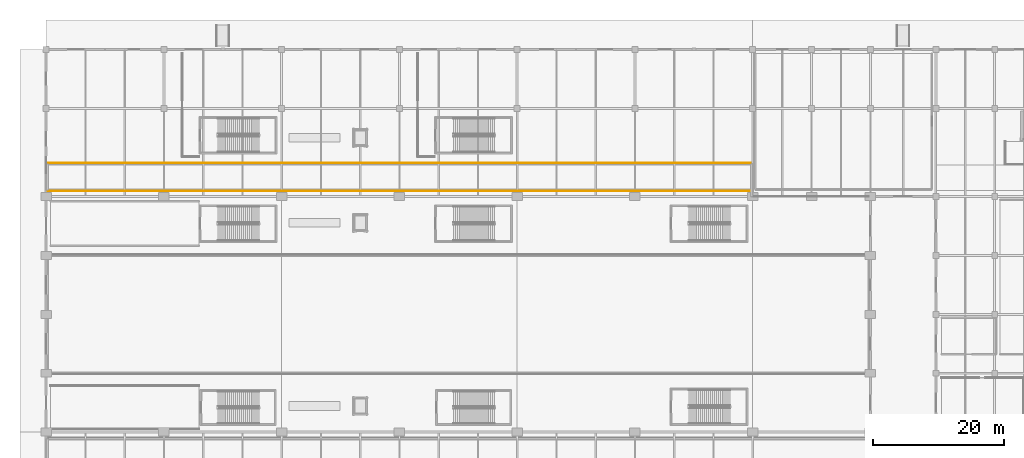
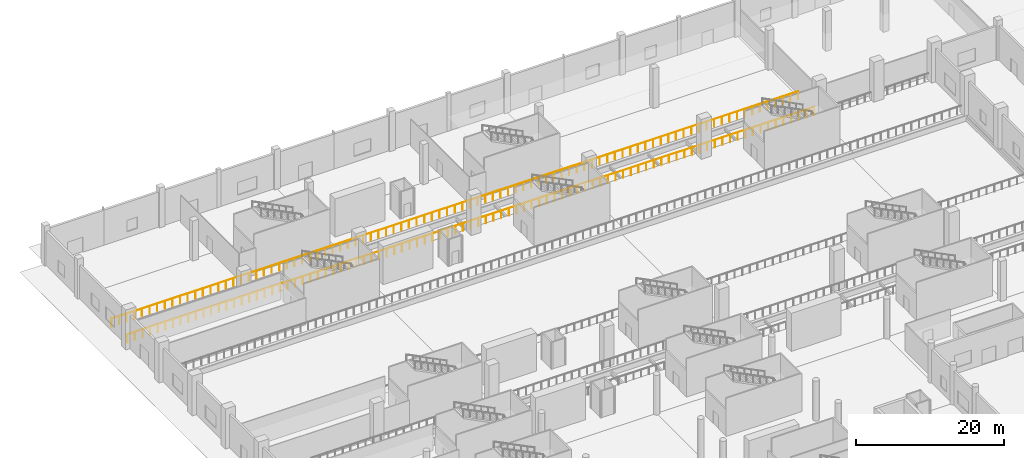
# One storey, part 46 of 65: 2 railings.
"""IFC4 building model written with IfcOpenShell, lengths in metres."""

from ifc_helpers import new_model, si_unit, direction, frame, origin, origin_2d, place, context, subcontext, project, spatial, circle, extrude, material, type_object, element, save


model = new_model("IFC4")

# Units and contexts
model_context = context("Model", 3, precision=1e-05, world=origin(), true_north=direction((0.0, 1.0)))
body_context = subcontext(model_context, "Body", "Model", "MODEL_VIEW")
ifc_project = project(units=[si_unit("LENGTHUNIT", "METRE"), si_unit("AREAUNIT", "SQUARE_METRE"), si_unit("VOLUMEUNIT", "CUBIC_METRE"), si_unit("PLANEANGLEUNIT", "RADIAN"), si_unit("MASSUNIT", "GRAM", prefix="KILO")], contexts=[model_context])

# Site, building, storey
site_placement = place(None, origin())
site = spatial("IfcSite", under=ifc_project, at=site_placement, CompositionType="ELEMENT")
building_placement = place(site_placement, origin())
building = spatial("IfcBuilding", under=site, at=building_placement, Name="Chuanluo Vaults Station", CompositionType="ELEMENT")
storey_placement = place(building_placement, origin())
storey = spatial("IfcBuildingStorey", under=building, at=storey_placement, Name="L00", CompositionType="ELEMENT", Elevation=0.0)

# Railings
ifc_material = material(Name="Tempered laminated balustrade glass", Category="glass")
railing_type = type_object("IfcRailingType", Name="RLG-PLAT-1350", PredefinedType="GUARDRAIL", material=ifc_material)
railing_1_placement = place(storey_placement, frame((0.300048828125, 104.35009765625, 0.0)))
element("IfcRailing", 1, at=railing_1_placement, inside=storey, type_object=railing_type, Name="Platform edge safety screen balustrade PLAT3-N", PredefinedType="GUARDRAIL", context=body_context, shape_type="SweptSolid", body=[
    extrude(circle(Radius=0.02392578125, at=origin_2d()), frame((0.0, 0.0, 1.326171875), z_axis=(1.0, 0.0, 0.0), x_axis=(0.0, 1.0, 0.0)), (0.0, 0.0, 1.0), 107.39990234375),
    extrude(circle(Radius=0.02099609375, at=origin_2d()), origin(), (0.0, 0.0, 1.0), 1.302001953125),
    extrude(circle(Radius=0.02099609375, at=origin_2d()), frame((1.193359375, 0.0, 0.0)), (0.0, 0.0, 1.0), 1.302001953125),
    extrude(circle(Radius=0.02099609375, at=origin_2d()), frame((2.38671875, 0.0, 0.0)), (0.0, 0.0, 1.0), 1.302001953125),
    extrude(circle(Radius=0.02099609375, at=origin_2d()), frame((3.580078125, 0.0, 0.0)), (0.0, 0.0, 1.0), 1.302001953125),
    extrude(circle(Radius=0.02099609375, at=origin_2d()), frame((4.7734375, 0.0, 0.0)), (0.0, 0.0, 1.0), 1.302001953125),
    extrude(circle(Radius=0.02099609375, at=origin_2d()), frame((5.966552734375, 0.0, 0.0)), (0.0, 0.0, 1.0), 1.302001953125),
    extrude(circle(Radius=0.02099609375, at=origin_2d()), frame((7.159912109375, 0.0, 0.0)), (0.0, 0.0, 1.0), 1.302001953125),
    extrude(circle(Radius=0.02099609375, at=origin_2d()), frame((8.353271484375, 0.0, 0.0)), (0.0, 0.0, 1.0), 1.302001953125),
    extrude(circle(Radius=0.02099609375, at=origin_2d()), frame((9.546630859375, 0.0, 0.0)), (0.0, 0.0, 1.0), 1.302001953125),
    extrude(circle(Radius=0.02099609375, at=origin_2d()), frame((10.739990234375, 0.0, 0.0)), (0.0, 0.0, 1.0), 1.302001953125),
    extrude(circle(Radius=0.02099609375, at=origin_2d()), frame((11.933349609375, 0.0, 0.0)), (0.0, 0.0, 1.0), 1.302001953125),
    extrude(circle(Radius=0.02099609375, at=origin_2d()), frame((13.126708984375, 0.0, 0.0)), (0.0, 0.0, 1.0), 1.302001953125),
    extrude(circle(Radius=0.02099609375, at=origin_2d()), frame((14.320068359375, 0.0, 0.0)), (0.0, 0.0, 1.0), 1.302001953125),
    extrude(circle(Radius=0.02099609375, at=origin_2d()), frame((15.513427734375, 0.0, 0.0)), (0.0, 0.0, 1.0), 1.302001953125),
    extrude(circle(Radius=0.02099609375, at=origin_2d()), frame((16.70654296875, 0.0, 0.0)), (0.0, 0.0, 1.0), 1.302001953125),
    extrude(circle(Radius=0.02099609375, at=origin_2d()), frame((17.89990234375, 0.0, 0.0)), (0.0, 0.0, 1.0), 1.302001953125),
    extrude(circle(Radius=0.02099609375, at=origin_2d()), frame((19.09326171875, 0.0, 0.0)), (0.0, 0.0, 1.0), 1.302001953125),
    extrude(circle(Radius=0.02099609375, at=origin_2d()), frame((20.28662109375, 0.0, 0.0)), (0.0, 0.0, 1.0), 1.302001953125),
    extrude(circle(Radius=0.02099609375, at=origin_2d()), frame((21.47998046875, 0.0, 0.0)), (0.0, 0.0, 1.0), 1.302001953125),
    extrude(circle(Radius=0.02099609375, at=origin_2d()), frame((22.67333984375, 0.0, 0.0)), (0.0, 0.0, 1.0), 1.302001953125),
    extrude(circle(Radius=0.02099609375, at=origin_2d()), frame((23.86669921875, 0.0, 0.0)), (0.0, 0.0, 1.0), 1.302001953125),
    extrude(circle(Radius=0.02099609375, at=origin_2d()), frame((25.06005859375, 0.0, 0.0)), (0.0, 0.0, 1.0), 1.302001953125),
    extrude(circle(Radius=0.02099609375, at=origin_2d()), frame((26.25341796875, 0.0, 0.0)), (0.0, 0.0, 1.0), 1.302001953125),
    extrude(circle(Radius=0.02099609375, at=origin_2d()), frame((27.446533203125, 0.0, 0.0)), (0.0, 0.0, 1.0), 1.302001953125),
    extrude(circle(Radius=0.02099609375, at=origin_2d()), frame((28.639892578125, 0.0, 0.0)), (0.0, 0.0, 1.0), 1.302001953125),
    extrude(circle(Radius=0.02099609375, at=origin_2d()), frame((29.833251953125, 0.0, 0.0)), (0.0, 0.0, 1.0), 1.302001953125),
    extrude(circle(Radius=0.02099609375, at=origin_2d()), frame((31.026611328125, 0.0, 0.0)), (0.0, 0.0, 1.0), 1.302001953125),
    extrude(circle(Radius=0.02099609375, at=origin_2d()), frame((32.219970703125, 0.0, 0.0)), (0.0, 0.0, 1.0), 1.302001953125),
    extrude(circle(Radius=0.02099609375, at=origin_2d()), frame((33.413330078125, 0.0, 0.0)), (0.0, 0.0, 1.0), 1.302001953125),
    extrude(circle(Radius=0.02099609375, at=origin_2d()), frame((34.606689453125, 0.0, 0.0)), (0.0, 0.0, 1.0), 1.302001953125),
    extrude(circle(Radius=0.02099609375, at=origin_2d()), frame((35.800048828125, 0.0, 0.0)), (0.0, 0.0, 1.0), 1.302001953125),
    extrude(circle(Radius=0.02099609375, at=origin_2d()), frame((36.993408203125, 0.0, 0.0)), (0.0, 0.0, 1.0), 1.302001953125),
    extrude(circle(Radius=0.02099609375, at=origin_2d()), frame((38.1865234375, 0.0, 0.0)), (0.0, 0.0, 1.0), 1.302001953125),
    extrude(circle(Radius=0.02099609375, at=origin_2d()), frame((39.3798828125, 0.0, 0.0)), (0.0, 0.0, 1.0), 1.302001953125),
    extrude(circle(Radius=0.02099609375, at=origin_2d()), frame((40.5732421875, 0.0, 0.0)), (0.0, 0.0, 1.0), 1.302001953125),
    extrude(circle(Radius=0.02099609375, at=origin_2d()), frame((41.7666015625, 0.0, 0.0)), (0.0, 0.0, 1.0), 1.302001953125),
    extrude(circle(Radius=0.02099609375, at=origin_2d()), frame((42.9599609375, 0.0, 0.0)), (0.0, 0.0, 1.0), 1.302001953125),
    extrude(circle(Radius=0.02099609375, at=origin_2d()), frame((44.1533203125, 0.0, 0.0)), (0.0, 0.0, 1.0), 1.302001953125),
    extrude(circle(Radius=0.02099609375, at=origin_2d()), frame((45.3466796875, 0.0, 0.0)), (0.0, 0.0, 1.0), 1.302001953125),
    extrude(circle(Radius=0.02099609375, at=origin_2d()), frame((46.5400390625, 0.0, 0.0)), (0.0, 0.0, 1.0), 1.302001953125),
    extrude(circle(Radius=0.02099609375, at=origin_2d()), frame((47.7333984375, 0.0, 0.0)), (0.0, 0.0, 1.0), 1.302001953125),
    extrude(circle(Radius=0.02099609375, at=origin_2d()), frame((48.926513671875, 0.0, 0.0)), (0.0, 0.0, 1.0), 1.302001953125),
    extrude(circle(Radius=0.02099609375, at=origin_2d()), frame((50.119873046875, 0.0, 0.0)), (0.0, 0.0, 1.0), 1.302001953125),
    extrude(circle(Radius=0.02099609375, at=origin_2d()), frame((51.313232421875, 0.0, 0.0)), (0.0, 0.0, 1.0), 1.302001953125),
    extrude(circle(Radius=0.02099609375, at=origin_2d()), frame((52.506591796875, 0.0, 0.0)), (0.0, 0.0, 1.0), 1.302001953125),
    extrude(circle(Radius=0.02099609375, at=origin_2d()), frame((53.699951171875, 0.0, 0.0)), (0.0, 0.0, 1.0), 1.302001953125),
    extrude(circle(Radius=0.02099609375, at=origin_2d()), frame((54.893310546875, 0.0, 0.0)), (0.0, 0.0, 1.0), 1.302001953125),
    extrude(circle(Radius=0.02099609375, at=origin_2d()), frame((56.086669921875, 0.0, 0.0)), (0.0, 0.0, 1.0), 1.302001953125),
    extrude(circle(Radius=0.02099609375, at=origin_2d()), frame((57.280029296875, 0.0, 0.0)), (0.0, 0.0, 1.0), 1.302001953125),
    extrude(circle(Radius=0.02099609375, at=origin_2d()), frame((58.473388671875, 0.0, 0.0)), (0.0, 0.0, 1.0), 1.302001953125),
    extrude(circle(Radius=0.02099609375, at=origin_2d()), frame((59.66650390625, 0.0, 0.0)), (0.0, 0.0, 1.0), 1.302001953125),
    extrude(circle(Radius=0.02099609375, at=origin_2d()), frame((60.85986328125, 0.0, 0.0)), (0.0, 0.0, 1.0), 1.302001953125),
    extrude(circle(Radius=0.02099609375, at=origin_2d()), frame((62.05322265625, 0.0, 0.0)), (0.0, 0.0, 1.0), 1.302001953125),
    extrude(circle(Radius=0.02099609375, at=origin_2d()), frame((63.24658203125, 0.0, 0.0)), (0.0, 0.0, 1.0), 1.302001953125),
    extrude(circle(Radius=0.02099609375, at=origin_2d()), frame((64.43994140625, 0.0, 0.0)), (0.0, 0.0, 1.0), 1.302001953125),
    extrude(circle(Radius=0.02099609375, at=origin_2d()), frame((65.63330078125, 0.0, 0.0)), (0.0, 0.0, 1.0), 1.302001953125),
    extrude(circle(Radius=0.02099609375, at=origin_2d()), frame((66.82666015625, 0.0, 0.0)), (0.0, 0.0, 1.0), 1.302001953125),
    extrude(circle(Radius=0.02099609375, at=origin_2d()), frame((68.02001953125, 0.0, 0.0)), (0.0, 0.0, 1.0), 1.302001953125),
    extrude(circle(Radius=0.02099609375, at=origin_2d()), frame((69.21337890625, 0.0, 0.0)), (0.0, 0.0, 1.0), 1.302001953125),
    extrude(circle(Radius=0.02099609375, at=origin_2d()), frame((70.406494140625, 0.0, 0.0)), (0.0, 0.0, 1.0), 1.302001953125),
    extrude(circle(Radius=0.02099609375, at=origin_2d()), frame((71.599853515625, 0.0, 0.0)), (0.0, 0.0, 1.0), 1.302001953125),
    extrude(circle(Radius=0.02099609375, at=origin_2d()), frame((72.793212890625, 0.0, 0.0)), (0.0, 0.0, 1.0), 1.302001953125),
    extrude(circle(Radius=0.02099609375, at=origin_2d()), frame((73.986572265625, 0.0, 0.0)), (0.0, 0.0, 1.0), 1.302001953125),
    extrude(circle(Radius=0.02099609375, at=origin_2d()), frame((75.179931640625, 0.0, 0.0)), (0.0, 0.0, 1.0), 1.302001953125),
    extrude(circle(Radius=0.02099609375, at=origin_2d()), frame((76.373291015625, 0.0, 0.0)), (0.0, 0.0, 1.0), 1.302001953125),
    extrude(circle(Radius=0.02099609375, at=origin_2d()), frame((77.566650390625, 0.0, 0.0)), (0.0, 0.0, 1.0), 1.302001953125),
    extrude(circle(Radius=0.02099609375, at=origin_2d()), frame((78.760009765625, 0.0, 0.0)), (0.0, 0.0, 1.0), 1.302001953125),
    extrude(circle(Radius=0.02099609375, at=origin_2d()), frame((79.953369140625, 0.0, 0.0)), (0.0, 0.0, 1.0), 1.302001953125),
    extrude(circle(Radius=0.02099609375, at=origin_2d()), frame((81.146484375, 0.0, 0.0)), (0.0, 0.0, 1.0), 1.302001953125),
    extrude(circle(Radius=0.02099609375, at=origin_2d()), frame((82.33984375, 0.0, 0.0)), (0.0, 0.0, 1.0), 1.302001953125),
    extrude(circle(Radius=0.02099609375, at=origin_2d()), frame((83.533203125, 0.0, 0.0)), (0.0, 0.0, 1.0), 1.302001953125),
    extrude(circle(Radius=0.02099609375, at=origin_2d()), frame((84.7265625, 0.0, 0.0)), (0.0, 0.0, 1.0), 1.302001953125),
    extrude(circle(Radius=0.02099609375, at=origin_2d()), frame((85.919921875, 0.0, 0.0)), (0.0, 0.0, 1.0), 1.302001953125),
    extrude(circle(Radius=0.02099609375, at=origin_2d()), frame((87.11328125, 0.0, 0.0)), (0.0, 0.0, 1.0), 1.302001953125),
    extrude(circle(Radius=0.02099609375, at=origin_2d()), frame((88.306640625, 0.0, 0.0)), (0.0, 0.0, 1.0), 1.302001953125),
    extrude(circle(Radius=0.02099609375, at=origin_2d()), frame((89.5, 0.0, 0.0)), (0.0, 0.0, 1.0), 1.302001953125),
    extrude(circle(Radius=0.02099609375, at=origin_2d()), frame((90.693359375, 0.0, 0.0)), (0.0, 0.0, 1.0), 1.302001953125),
    extrude(circle(Radius=0.02099609375, at=origin_2d()), frame((91.886474609375, 0.0, 0.0)), (0.0, 0.0, 1.0), 1.302001953125),
    extrude(circle(Radius=0.02099609375, at=origin_2d()), frame((93.079833984375, 0.0, 0.0)), (0.0, 0.0, 1.0), 1.302001953125),
    extrude(circle(Radius=0.02099609375, at=origin_2d()), frame((94.273193359375, 0.0, 0.0)), (0.0, 0.0, 1.0), 1.302001953125),
    extrude(circle(Radius=0.02099609375, at=origin_2d()), frame((95.466552734375, 0.0, 0.0)), (0.0, 0.0, 1.0), 1.302001953125),
    extrude(circle(Radius=0.02099609375, at=origin_2d()), frame((96.659912109375, 0.0, 0.0)), (0.0, 0.0, 1.0), 1.302001953125),
    extrude(circle(Radius=0.02099609375, at=origin_2d()), frame((97.853271484375, 0.0, 0.0)), (0.0, 0.0, 1.0), 1.302001953125),
    extrude(circle(Radius=0.02099609375, at=origin_2d()), frame((99.046630859375, 0.0, 0.0)), (0.0, 0.0, 1.0), 1.302001953125),
    extrude(circle(Radius=0.02099609375, at=origin_2d()), frame((100.239990234375, 0.0, 0.0)), (0.0, 0.0, 1.0), 1.302001953125),
    extrude(circle(Radius=0.02099609375, at=origin_2d()), frame((101.433349609375, 0.0, 0.0)), (0.0, 0.0, 1.0), 1.302001953125),
    extrude(circle(Radius=0.02099609375, at=origin_2d()), frame((102.62646484375, 0.0, 0.0)), (0.0, 0.0, 1.0), 1.302001953125),
    extrude(circle(Radius=0.02099609375, at=origin_2d()), frame((103.81982421875, 0.0, 0.0)), (0.0, 0.0, 1.0), 1.302001953125),
    extrude(circle(Radius=0.02099609375, at=origin_2d()), frame((105.01318359375, 0.0, 0.0)), (0.0, 0.0, 1.0), 1.302001953125),
    extrude(circle(Radius=0.02099609375, at=origin_2d()), frame((106.20654296875, 0.0, 0.0)), (0.0, 0.0, 1.0), 1.302001953125),
    extrude(circle(Radius=0.02099609375, at=origin_2d()), frame((107.39990234375, 0.0, 0.0)), (0.0, 0.0, 1.0), 1.302001953125),
])
railing_2_placement = place(storey_placement, frame((0.300048828125, 108.64990234375, 0.0)))
element("IfcRailing", 2, at=railing_2_placement, inside=storey, type_object=railing_type, Name="Platform edge safety screen balustrade PLAT4-S", PredefinedType="GUARDRAIL", context=body_context, shape_type="SweptSolid", body=[
    extrude(circle(Radius=0.02392578125, at=origin_2d()), frame((0.0, 0.0, 1.326171875), z_axis=(1.0, 0.0, 0.0), x_axis=(0.0, 1.0, 0.0)), (0.0, 0.0, 1.0), 107.39990234375),
    extrude(circle(Radius=0.02099609375, at=origin_2d()), origin(), (0.0, 0.0, 1.0), 1.302001953125),
    extrude(circle(Radius=0.02099609375, at=origin_2d()), frame((1.193359375, 0.0, 0.0)), (0.0, 0.0, 1.0), 1.302001953125),
    extrude(circle(Radius=0.02099609375, at=origin_2d()), frame((2.38671875, 0.0, 0.0)), (0.0, 0.0, 1.0), 1.302001953125),
    extrude(circle(Radius=0.02099609375, at=origin_2d()), frame((3.580078125, 0.0, 0.0)), (0.0, 0.0, 1.0), 1.302001953125),
    extrude(circle(Radius=0.02099609375, at=origin_2d()), frame((4.7734375, 0.0, 0.0)), (0.0, 0.0, 1.0), 1.302001953125),
    extrude(circle(Radius=0.02099609375, at=origin_2d()), frame((5.966552734375, 0.0, 0.0)), (0.0, 0.0, 1.0), 1.302001953125),
    extrude(circle(Radius=0.02099609375, at=origin_2d()), frame((7.159912109375, 0.0, 0.0)), (0.0, 0.0, 1.0), 1.302001953125),
    extrude(circle(Radius=0.02099609375, at=origin_2d()), frame((8.353271484375, 0.0, 0.0)), (0.0, 0.0, 1.0), 1.302001953125),
    extrude(circle(Radius=0.02099609375, at=origin_2d()), frame((9.546630859375, 0.0, 0.0)), (0.0, 0.0, 1.0), 1.302001953125),
    extrude(circle(Radius=0.02099609375, at=origin_2d()), frame((10.739990234375, 0.0, 0.0)), (0.0, 0.0, 1.0), 1.302001953125),
    extrude(circle(Radius=0.02099609375, at=origin_2d()), frame((11.933349609375, 0.0, 0.0)), (0.0, 0.0, 1.0), 1.302001953125),
    extrude(circle(Radius=0.02099609375, at=origin_2d()), frame((13.126708984375, 0.0, 0.0)), (0.0, 0.0, 1.0), 1.302001953125),
    extrude(circle(Radius=0.02099609375, at=origin_2d()), frame((14.320068359375, 0.0, 0.0)), (0.0, 0.0, 1.0), 1.302001953125),
    extrude(circle(Radius=0.02099609375, at=origin_2d()), frame((15.513427734375, 0.0, 0.0)), (0.0, 0.0, 1.0), 1.302001953125),
    extrude(circle(Radius=0.02099609375, at=origin_2d()), frame((16.70654296875, 0.0, 0.0)), (0.0, 0.0, 1.0), 1.302001953125),
    extrude(circle(Radius=0.02099609375, at=origin_2d()), frame((17.89990234375, 0.0, 0.0)), (0.0, 0.0, 1.0), 1.302001953125),
    extrude(circle(Radius=0.02099609375, at=origin_2d()), frame((19.09326171875, 0.0, 0.0)), (0.0, 0.0, 1.0), 1.302001953125),
    extrude(circle(Radius=0.02099609375, at=origin_2d()), frame((20.28662109375, 0.0, 0.0)), (0.0, 0.0, 1.0), 1.302001953125),
    extrude(circle(Radius=0.02099609375, at=origin_2d()), frame((21.47998046875, 0.0, 0.0)), (0.0, 0.0, 1.0), 1.302001953125),
    extrude(circle(Radius=0.02099609375, at=origin_2d()), frame((22.67333984375, 0.0, 0.0)), (0.0, 0.0, 1.0), 1.302001953125),
    extrude(circle(Radius=0.02099609375, at=origin_2d()), frame((23.86669921875, 0.0, 0.0)), (0.0, 0.0, 1.0), 1.302001953125),
    extrude(circle(Radius=0.02099609375, at=origin_2d()), frame((25.06005859375, 0.0, 0.0)), (0.0, 0.0, 1.0), 1.302001953125),
    extrude(circle(Radius=0.02099609375, at=origin_2d()), frame((26.25341796875, 0.0, 0.0)), (0.0, 0.0, 1.0), 1.302001953125),
    extrude(circle(Radius=0.02099609375, at=origin_2d()), frame((27.446533203125, 0.0, 0.0)), (0.0, 0.0, 1.0), 1.302001953125),
    extrude(circle(Radius=0.02099609375, at=origin_2d()), frame((28.639892578125, 0.0, 0.0)), (0.0, 0.0, 1.0), 1.302001953125),
    extrude(circle(Radius=0.02099609375, at=origin_2d()), frame((29.833251953125, 0.0, 0.0)), (0.0, 0.0, 1.0), 1.302001953125),
    extrude(circle(Radius=0.02099609375, at=origin_2d()), frame((31.026611328125, 0.0, 0.0)), (0.0, 0.0, 1.0), 1.302001953125),
    extrude(circle(Radius=0.02099609375, at=origin_2d()), frame((32.219970703125, 0.0, 0.0)), (0.0, 0.0, 1.0), 1.302001953125),
    extrude(circle(Radius=0.02099609375, at=origin_2d()), frame((33.413330078125, 0.0, 0.0)), (0.0, 0.0, 1.0), 1.302001953125),
    extrude(circle(Radius=0.02099609375, at=origin_2d()), frame((34.606689453125, 0.0, 0.0)), (0.0, 0.0, 1.0), 1.302001953125),
    extrude(circle(Radius=0.02099609375, at=origin_2d()), frame((35.800048828125, 0.0, 0.0)), (0.0, 0.0, 1.0), 1.302001953125),
    extrude(circle(Radius=0.02099609375, at=origin_2d()), frame((36.993408203125, 0.0, 0.0)), (0.0, 0.0, 1.0), 1.302001953125),
    extrude(circle(Radius=0.02099609375, at=origin_2d()), frame((38.1865234375, 0.0, 0.0)), (0.0, 0.0, 1.0), 1.302001953125),
    extrude(circle(Radius=0.02099609375, at=origin_2d()), frame((39.3798828125, 0.0, 0.0)), (0.0, 0.0, 1.0), 1.302001953125),
    extrude(circle(Radius=0.02099609375, at=origin_2d()), frame((40.5732421875, 0.0, 0.0)), (0.0, 0.0, 1.0), 1.302001953125),
    extrude(circle(Radius=0.02099609375, at=origin_2d()), frame((41.7666015625, 0.0, 0.0)), (0.0, 0.0, 1.0), 1.302001953125),
    extrude(circle(Radius=0.02099609375, at=origin_2d()), frame((42.9599609375, 0.0, 0.0)), (0.0, 0.0, 1.0), 1.302001953125),
    extrude(circle(Radius=0.02099609375, at=origin_2d()), frame((44.1533203125, 0.0, 0.0)), (0.0, 0.0, 1.0), 1.302001953125),
    extrude(circle(Radius=0.02099609375, at=origin_2d()), frame((45.3466796875, 0.0, 0.0)), (0.0, 0.0, 1.0), 1.302001953125),
    extrude(circle(Radius=0.02099609375, at=origin_2d()), frame((46.5400390625, 0.0, 0.0)), (0.0, 0.0, 1.0), 1.302001953125),
    extrude(circle(Radius=0.02099609375, at=origin_2d()), frame((47.7333984375, 0.0, 0.0)), (0.0, 0.0, 1.0), 1.302001953125),
    extrude(circle(Radius=0.02099609375, at=origin_2d()), frame((48.926513671875, 0.0, 0.0)), (0.0, 0.0, 1.0), 1.302001953125),
    extrude(circle(Radius=0.02099609375, at=origin_2d()), frame((50.119873046875, 0.0, 0.0)), (0.0, 0.0, 1.0), 1.302001953125),
    extrude(circle(Radius=0.02099609375, at=origin_2d()), frame((51.313232421875, 0.0, 0.0)), (0.0, 0.0, 1.0), 1.302001953125),
    extrude(circle(Radius=0.02099609375, at=origin_2d()), frame((52.506591796875, 0.0, 0.0)), (0.0, 0.0, 1.0), 1.302001953125),
    extrude(circle(Radius=0.02099609375, at=origin_2d()), frame((53.699951171875, 0.0, 0.0)), (0.0, 0.0, 1.0), 1.302001953125),
    extrude(circle(Radius=0.02099609375, at=origin_2d()), frame((54.893310546875, 0.0, 0.0)), (0.0, 0.0, 1.0), 1.302001953125),
    extrude(circle(Radius=0.02099609375, at=origin_2d()), frame((56.086669921875, 0.0, 0.0)), (0.0, 0.0, 1.0), 1.302001953125),
    extrude(circle(Radius=0.02099609375, at=origin_2d()), frame((57.280029296875, 0.0, 0.0)), (0.0, 0.0, 1.0), 1.302001953125),
    extrude(circle(Radius=0.02099609375, at=origin_2d()), frame((58.473388671875, 0.0, 0.0)), (0.0, 0.0, 1.0), 1.302001953125),
    extrude(circle(Radius=0.02099609375, at=origin_2d()), frame((59.66650390625, 0.0, 0.0)), (0.0, 0.0, 1.0), 1.302001953125),
    extrude(circle(Radius=0.02099609375, at=origin_2d()), frame((60.85986328125, 0.0, 0.0)), (0.0, 0.0, 1.0), 1.302001953125),
    extrude(circle(Radius=0.02099609375, at=origin_2d()), frame((62.05322265625, 0.0, 0.0)), (0.0, 0.0, 1.0), 1.302001953125),
    extrude(circle(Radius=0.02099609375, at=origin_2d()), frame((63.24658203125, 0.0, 0.0)), (0.0, 0.0, 1.0), 1.302001953125),
    extrude(circle(Radius=0.02099609375, at=origin_2d()), frame((64.43994140625, 0.0, 0.0)), (0.0, 0.0, 1.0), 1.302001953125),
    extrude(circle(Radius=0.02099609375, at=origin_2d()), frame((65.63330078125, 0.0, 0.0)), (0.0, 0.0, 1.0), 1.302001953125),
    extrude(circle(Radius=0.02099609375, at=origin_2d()), frame((66.82666015625, 0.0, 0.0)), (0.0, 0.0, 1.0), 1.302001953125),
    extrude(circle(Radius=0.02099609375, at=origin_2d()), frame((68.02001953125, 0.0, 0.0)), (0.0, 0.0, 1.0), 1.302001953125),
    extrude(circle(Radius=0.02099609375, at=origin_2d()), frame((69.21337890625, 0.0, 0.0)), (0.0, 0.0, 1.0), 1.302001953125),
    extrude(circle(Radius=0.02099609375, at=origin_2d()), frame((70.406494140625, 0.0, 0.0)), (0.0, 0.0, 1.0), 1.302001953125),
    extrude(circle(Radius=0.02099609375, at=origin_2d()), frame((71.599853515625, 0.0, 0.0)), (0.0, 0.0, 1.0), 1.302001953125),
    extrude(circle(Radius=0.02099609375, at=origin_2d()), frame((72.793212890625, 0.0, 0.0)), (0.0, 0.0, 1.0), 1.302001953125),
    extrude(circle(Radius=0.02099609375, at=origin_2d()), frame((73.986572265625, 0.0, 0.0)), (0.0, 0.0, 1.0), 1.302001953125),
    extrude(circle(Radius=0.02099609375, at=origin_2d()), frame((75.179931640625, 0.0, 0.0)), (0.0, 0.0, 1.0), 1.302001953125),
    extrude(circle(Radius=0.02099609375, at=origin_2d()), frame((76.373291015625, 0.0, 0.0)), (0.0, 0.0, 1.0), 1.302001953125),
    extrude(circle(Radius=0.02099609375, at=origin_2d()), frame((77.566650390625, 0.0, 0.0)), (0.0, 0.0, 1.0), 1.302001953125),
    extrude(circle(Radius=0.02099609375, at=origin_2d()), frame((78.760009765625, 0.0, 0.0)), (0.0, 0.0, 1.0), 1.302001953125),
    extrude(circle(Radius=0.02099609375, at=origin_2d()), frame((79.953369140625, 0.0, 0.0)), (0.0, 0.0, 1.0), 1.302001953125),
    extrude(circle(Radius=0.02099609375, at=origin_2d()), frame((81.146484375, 0.0, 0.0)), (0.0, 0.0, 1.0), 1.302001953125),
    extrude(circle(Radius=0.02099609375, at=origin_2d()), frame((82.33984375, 0.0, 0.0)), (0.0, 0.0, 1.0), 1.302001953125),
    extrude(circle(Radius=0.02099609375, at=origin_2d()), frame((83.533203125, 0.0, 0.0)), (0.0, 0.0, 1.0), 1.302001953125),
    extrude(circle(Radius=0.02099609375, at=origin_2d()), frame((84.7265625, 0.0, 0.0)), (0.0, 0.0, 1.0), 1.302001953125),
    extrude(circle(Radius=0.02099609375, at=origin_2d()), frame((85.919921875, 0.0, 0.0)), (0.0, 0.0, 1.0), 1.302001953125),
    extrude(circle(Radius=0.02099609375, at=origin_2d()), frame((87.11328125, 0.0, 0.0)), (0.0, 0.0, 1.0), 1.302001953125),
    extrude(circle(Radius=0.02099609375, at=origin_2d()), frame((88.306640625, 0.0, 0.0)), (0.0, 0.0, 1.0), 1.302001953125),
    extrude(circle(Radius=0.02099609375, at=origin_2d()), frame((89.5, 0.0, 0.0)), (0.0, 0.0, 1.0), 1.302001953125),
    extrude(circle(Radius=0.02099609375, at=origin_2d()), frame((90.693359375, 0.0, 0.0)), (0.0, 0.0, 1.0), 1.302001953125),
    extrude(circle(Radius=0.02099609375, at=origin_2d()), frame((91.886474609375, 0.0, 0.0)), (0.0, 0.0, 1.0), 1.302001953125),
    extrude(circle(Radius=0.02099609375, at=origin_2d()), frame((93.079833984375, 0.0, 0.0)), (0.0, 0.0, 1.0), 1.302001953125),
    extrude(circle(Radius=0.02099609375, at=origin_2d()), frame((94.273193359375, 0.0, 0.0)), (0.0, 0.0, 1.0), 1.302001953125),
    extrude(circle(Radius=0.02099609375, at=origin_2d()), frame((95.466552734375, 0.0, 0.0)), (0.0, 0.0, 1.0), 1.302001953125),
    extrude(circle(Radius=0.02099609375, at=origin_2d()), frame((96.659912109375, 0.0, 0.0)), (0.0, 0.0, 1.0), 1.302001953125),
    extrude(circle(Radius=0.02099609375, at=origin_2d()), frame((97.853271484375, 0.0, 0.0)), (0.0, 0.0, 1.0), 1.302001953125),
    extrude(circle(Radius=0.02099609375, at=origin_2d()), frame((99.046630859375, 0.0, 0.0)), (0.0, 0.0, 1.0), 1.302001953125),
    extrude(circle(Radius=0.02099609375, at=origin_2d()), frame((100.239990234375, 0.0, 0.0)), (0.0, 0.0, 1.0), 1.302001953125),
    extrude(circle(Radius=0.02099609375, at=origin_2d()), frame((101.433349609375, 0.0, 0.0)), (0.0, 0.0, 1.0), 1.302001953125),
    extrude(circle(Radius=0.02099609375, at=origin_2d()), frame((102.62646484375, 0.0, 0.0)), (0.0, 0.0, 1.0), 1.302001953125),
    extrude(circle(Radius=0.02099609375, at=origin_2d()), frame((103.81982421875, 0.0, 0.0)), (0.0, 0.0, 1.0), 1.302001953125),
    extrude(circle(Radius=0.02099609375, at=origin_2d()), frame((105.01318359375, 0.0, 0.0)), (0.0, 0.0, 1.0), 1.302001953125),
    extrude(circle(Radius=0.02099609375, at=origin_2d()), frame((106.20654296875, 0.0, 0.0)), (0.0, 0.0, 1.0), 1.302001953125),
    extrude(circle(Radius=0.02099609375, at=origin_2d()), frame((107.39990234375, 0.0, 0.0)), (0.0, 0.0, 1.0), 1.302001953125),
])

save(model, "model.ifc")
